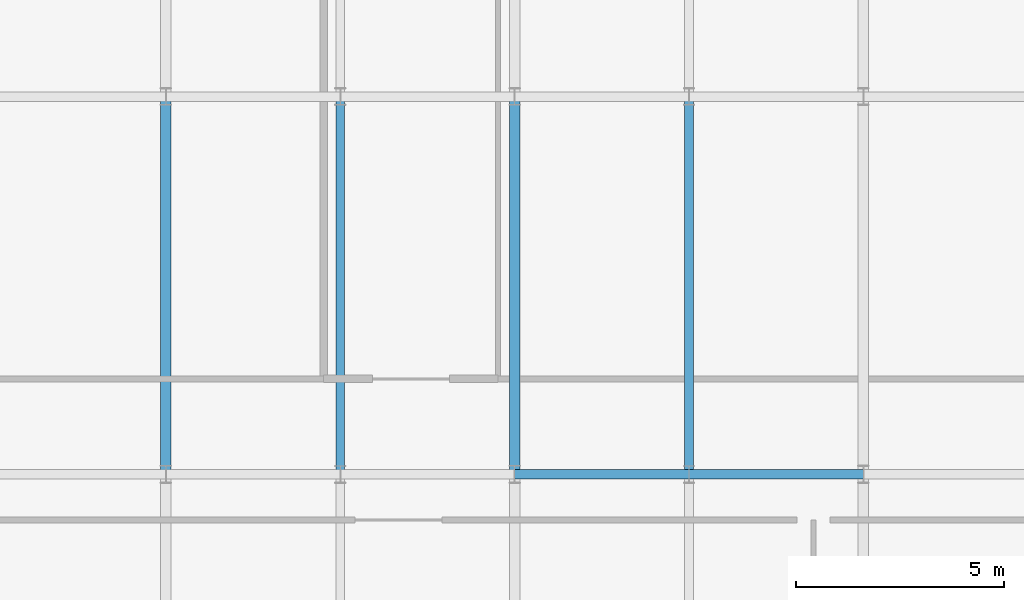
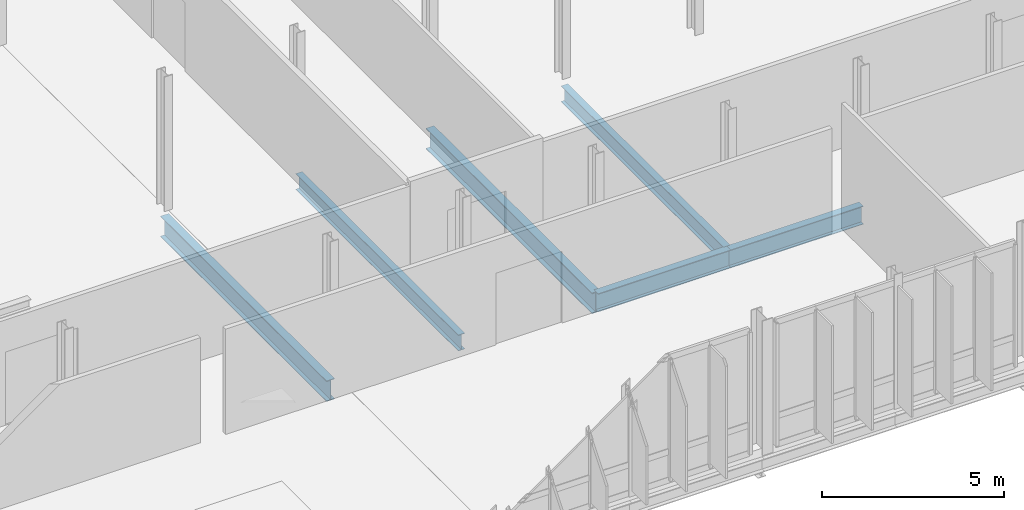
# One storey, part 45 of 139: 6 beams.
"""IFC4 building model written with IfcOpenShell, lengths in metres."""

import ifcopenshell
import ifcopenshell.guid

model = None  # the IFC model being written
_history = None  # IfcOwnerHistory: only IFC2X3 demands one
_inside = {}  # id of a spatial element -> (the spatial element, [elements in it])
_under = {}  # id of a project, library or spatial element -> (it, [spatial elements below it])
_declared = {}  # id of a project -> (the project, [libraries it declares])
_typed = {}  # id of a type object -> (the type object, [elements of that type])
_made_of = {}  # id of a material, layer set ... -> (it, [elements and type objects made of it])


def new_model(schema):
    """Start an empty IFC model of exactly this schema.

    Asked for "IFC4X3", IfcOpenShell would pick the latest addendum, in which some entities
    have other attributes; the version numbers below select the first issue.
    IFC2X3 requires an IfcOwnerHistory on every rooted entity: one is made here for all.
    """
    global model, _history
    if schema == "IFC4X3":
        model = ifcopenshell.file(schema_version=(4, 3, 0, 0))
    else:
        model = ifcopenshell.file(schema=schema)
    _inside.clear()
    _under.clear()
    _declared.clear()
    _typed.clear()
    _made_of.clear()
    _history = None
    if model.schema == "IFC2X3":
        org = make("IfcOrganization", Name="unknown")
        user = make(
            "IfcPersonAndOrganization",
            ThePerson=make("IfcPerson", FamilyName="unknown"),
            TheOrganization=org,
        )
        app = make(
            "IfcApplication",
            ApplicationDeveloper=org,
            Version="unknown",
            ApplicationFullName="unknown",
            ApplicationIdentifier="unknown",
        )
        _history = make(
            "IfcOwnerHistory",
            OwningUser=user,
            OwningApplication=app,
            ChangeAction="ADDED",
            CreationDate=0,
        )
    return model


def make(cls, **values):
    """One entity of the class cls with the attributes given. An attribute that is None is left unset."""
    return model.create_entity(
        cls, **{name: value for name, value in values.items() if value is not None}
    )


def rooted(cls, **values):
    """An entity with a GlobalId (a new one), such as an element, a storey or a relation."""
    return make(cls, GlobalId=ifcopenshell.guid.new(), OwnerHistory=_history, **values)


def si_unit(unit_type, name, prefix=None):
    """IfcSIUnit, for example si_unit("LENGTHUNIT", "METRE", prefix="MILLI")."""
    return make("IfcSIUnit", UnitType=unit_type, Prefix=prefix, Name=name)


def derived_unit(unit_type, elements):
    """IfcDerivedUnit: a product of units, each with its exponent."""
    return make(
        "IfcDerivedUnit",
        Elements=[
            make("IfcDerivedUnitElement", Unit=unit, Exponent=power)
            for unit, power in elements
        ],
        UnitType=unit_type,
    )


def assignment(units):
    """IfcUnitAssignment: the units of a project."""
    return None if units is None else make("IfcUnitAssignment", Units=units)


def point(xyz):
    """IfcCartesianPoint."""
    return None if xyz is None else make("IfcCartesianPoint", Coordinates=xyz)


def direction(xyz):
    """IfcDirection."""
    return None if xyz is None else make("IfcDirection", DirectionRatios=xyz)


def frame(location, z_axis=None, x_axis=None):
    """IfcAxis2Placement3D, a coordinate frame: its origin and axes. An axis left out is left unset."""
    return make(
        "IfcAxis2Placement3D",
        Location=point(location),
        Axis=direction(z_axis),
        RefDirection=direction(x_axis),
    )


def frame_2d(location, x_axis=None):
    """IfcAxis2Placement2D, a coordinate frame in the plane: its origin and x axis."""
    return make(
        "IfcAxis2Placement2D", Location=point(location), RefDirection=direction(x_axis)
    )


def origin():
    """The frame at (0, 0, 0) with its axes left unset."""
    return frame((0.0, 0.0, 0.0))


def origin_2d():
    """The frame at (0, 0) in the plane with its x axis left unset."""
    return frame_2d((0.0, 0.0))


def place(relative_to, where):
    """IfcLocalPlacement: puts the frame where relative to a parent placement (None: the world)."""
    return make(
        "IfcLocalPlacement", PlacementRelTo=relative_to, RelativePlacement=where
    )


def context(
    kind, dimensions, precision=None, world=None, true_north=None, identifier=None
):
    """IfcGeometricRepresentationContext, for example the 3D "Model" context."""
    return make(
        "IfcGeometricRepresentationContext",
        ContextIdentifier=identifier,
        ContextType=kind,
        CoordinateSpaceDimension=dimensions,
        Precision=precision,
        WorldCoordinateSystem=world,
        TrueNorth=true_north,
    )


def subcontext(parent, identifier, kind, view, scale=None):
    """IfcGeometricRepresentationSubContext, for example "Body" below "Model"."""
    return make(
        "IfcGeometricRepresentationSubContext",
        ContextIdentifier=identifier,
        ContextType=kind,
        ParentContext=parent,
        TargetScale=scale,
        TargetView=view,
    )


def project(units=None, contexts=None):
    """IfcProject with its units and contexts."""
    return rooted(
        "IfcProject",
        Name="project",
        RepresentationContexts=contexts,
        UnitsInContext=assignment(units),
    )


def spatial(cls, under=None, at=None, **own):
    """A site, building, storey or space (cls), placed at a placement, below another one or the project."""
    s = rooted(cls, ObjectPlacement=at, **own)
    if under is not None:
        _under.setdefault(under.id(), (under, []))[1].append(s)
    return s


def profile(cls, at=None, kind="AREA", **sizes):
    """A parametric profile (cls). Its sizes go by their IFC names, for example OverallWidth=200.0."""
    return make(cls, ProfileType=kind, Position=at, **sizes)


def i_section(**sizes):
    """IfcIShapeProfileDef."""
    return profile("IfcIShapeProfileDef", **sizes)


def extrude(swept, where, along, depth):
    """IfcExtrudedAreaSolid: the profile swept, set in the frame where, extruded along a direction by depth."""
    return make(
        "IfcExtrudedAreaSolid",
        SweptArea=swept,
        Position=where,
        ExtrudedDirection=direction(along),
        Depth=depth,
    )


def shape(context_of_items, identifier, shape_type, items):
    """IfcShapeRepresentation: the items that make up one representation, for example the "Body"."""
    return make(
        "IfcShapeRepresentation",
        ContextOfItems=context_of_items,
        RepresentationIdentifier=identifier,
        RepresentationType=shape_type,
        Items=items,
    )


def material(Name=None, Category=None):
    """IfcMaterial."""
    return make("IfcMaterial", Name=Name, Category=Category)


def material_profile(
    of_material, cross_section, Name=None, Category=None, Priority=None
):
    """IfcMaterialProfile: a cross section and its material."""
    return make(
        "IfcMaterialProfile",
        Name=Name,
        Material=of_material,
        Profile=cross_section,
        Priority=Priority,
        Category=Category,
    )


def profile_set(profiles, Name=None, composite=None):
    """IfcMaterialProfileSet."""
    return make(
        "IfcMaterialProfileSet",
        Name=Name,
        MaterialProfiles=profiles,
        CompositeProfile=composite,
    )


def made_of(thing, what):
    """Note that an element or type object is made of a material, layer set ...; save() writes the relation."""
    if what is not None:
        _made_of.setdefault(what.id(), (what, []))[1].append(thing)
    return thing


def type_object(cls, material=None, **own):
    """A type object (cls), such as IfcWallType, which elements share."""
    return made_of(rooted(cls, **own), material)


def element(
    cls,
    number,
    at=None,
    inside=None,
    cuts=None,
    type_object=None,
    material=None,
    context=None,
    identifier="Body",
    shape_type=None,
    held_by="IfcProductDefinitionShape",
    body=None,
    shapes=None,
    **own,
):
    """One element of the class cls, such as IfcWall. Its Tag is "e" and its number.

    at: its placement. inside: the storey or other place that contains it. cuts: it is an
    opening in that element (IfcRelVoidsElement). A single representation is given by context,
    identifier, shape_type and body (its items); several are given by shapes. held_by: the class
    of the entity that holds the representations. save() writes the other relations.
    """
    e = rooted(cls, Tag="e%d" % number, ObjectPlacement=at, **own)
    if body is not None:
        shapes = [shape(context, identifier, shape_type, body)]
    if shapes is not None:
        e.Representation = make(held_by, Representations=shapes)
    if inside is not None:
        _inside.setdefault(inside.id(), (inside, []))[1].append(e)
    if cuts is not None:
        rooted(
            "IfcRelVoidsElement", RelatingBuildingElement=cuts, RelatedOpeningElement=e
        )
    if type_object is not None:
        _typed.setdefault(type_object.id(), (type_object, []))[1].append(e)
    return made_of(e, material)


def aggregate(whole, parts):
    """IfcRelAggregates: a whole, such as a stair, and the parts it consists of."""
    return rooted("IfcRelAggregates", RelatingObject=whole, RelatedObjects=parts)


def save(model, path):
    """Write the relations noted so far, then the file.

    IfcRelAggregates (storeys below a building ...), IfcRelContainedInSpatialStructure (elements
    in a storey), IfcRelDefinesByType, IfcRelAssociatesMaterial and IfcRelDeclares: one each for
    every whole, place, type object, material and project.
    """
    for whole, parts in _under.values():
        aggregate(whole, parts)
    for where, things in _inside.values():
        rooted(
            "IfcRelContainedInSpatialStructure",
            RelatedElements=things,
            RelatingStructure=where,
        )
    for kind, things in _typed.values():
        rooted("IfcRelDefinesByType", RelatedObjects=things, RelatingType=kind)
    for what, things in _made_of.values():
        rooted("IfcRelAssociatesMaterial", RelatedObjects=things, RelatingMaterial=what)
    for by, libraries in _declared.values():
        rooted("IfcRelDeclares", RelatingContext=by, RelatedDefinitions=libraries)
    model.write(path)


model = new_model("IFC4")

# Units and contexts
model_context = context("Model", 3, precision=1e-05, world=origin(), true_north=direction((0.0, 1.0)))
body_context = subcontext(model_context, "Body", "Model", "MODEL_VIEW")
ifc_project = project(units=[si_unit("LENGTHUNIT", "METRE"), si_unit("AREAUNIT", "SQUARE_METRE"), si_unit("VOLUMEUNIT", "CUBIC_METRE"), si_unit("PLANEANGLEUNIT", "RADIAN"), si_unit("MASSUNIT", "GRAM", prefix="KILO"), derived_unit("THERMALTRANSMITTANCEUNIT", [(si_unit("MASSUNIT", "GRAM", prefix="KILO"), 1), (si_unit("TIMEUNIT", "SECOND"), -3), (si_unit("THERMODYNAMICTEMPERATUREUNIT", "KELVIN"), -1)])], contexts=[model_context])

# Site, building, storey
site_placement = place(None, origin())
site = spatial("IfcSite", under=ifc_project, at=site_placement, CompositionType="ELEMENT")
building_placement = place(site_placement, origin())
building = spatial("IfcBuilding", under=site, at=building_placement, Name="Makaiwela Harbour Ferry Terminal", CompositionType="ELEMENT")
storey_placement = place(building_placement, frame((0.0, 0.0, 5.10009765625)))
storey = spatial("IfcBuildingStorey", under=building, at=storey_placement, Name="L01", CompositionType="ELEMENT", Elevation=5.10009765625)

# Beams
ifc_material = material(Name="Steel ASTM A992 Grade 50", Category="steel")
ifc_material_profile_1 = material_profile(ifc_material, i_section(OverallWidth=0.2099609375, OverallDepth=0.537109375, WebThickness=0.010986328125, FlangeThickness=0.017333984375, at=origin_2d()), Name="W21X68")
ifc_profile_set_1 = profile_set([ifc_material_profile_1], Name="Steel ASTM A992 Grade 50")
beam_type_1 = type_object("IfcBeamType", Name="STR-BM-W21X68", PredefinedType="BEAM", material=ifc_profile_set_1)
for number, where, z_axis, x_axis, name in (
    (1, (100.800048828125, 58.596435546875, -0.548583984375), (0.0, 1.0, 0.0), (-1.0, 0.0, 0.0), "Secondary floor beam 1115"),
    (2, (109.199951171875, 58.596435546875, -0.548583984375), (0.0, 1.0, 0.0), (-1.0, 0.0, 0.0), "Secondary floor beam 1123"),
):
    element("IfcBeam", number, at=place(storey_placement, frame(where, z_axis=z_axis, x_axis=x_axis)), inside=storey, type_object=beam_type_1, Name=name, PredefinedType="BEAM", context=body_context, shape_type="SweptSolid", body=[
        extrude(i_section(OverallWidth=0.2099609375, OverallDepth=0.537109375, WebThickness=0.010986328125, FlangeThickness=0.017333984375, at=origin_2d()), origin(), (0.0, 0.0, 1.0), 8.906982421875),
    ])
ifc_material_profile_2 = material_profile(ifc_material, i_section(OverallWidth=0.22900390625, OverallDepth=0.612060546875, WebThickness=0.011962890625, FlangeThickness=0.01953125, at=origin_2d()), Name="W24X84")
ifc_profile_set_2 = profile_set([ifc_material_profile_2], Name="Steel ASTM A992 Grade 50")
beam_type_2 = type_object("IfcBeamType", Name="STR-GRD-W24X84", PredefinedType="USERDEFINED", material=ifc_profile_set_2)
for number, where, z_axis, x_axis, name in (
    (3, (105.0, 58.5, -0.586181640625), (1.0, 0.0, 0.0), (0.0, 1.0, 0.0), "Primary X girder 836"),
    (4, (109.199951171875, 58.5, -0.586181640625), (1.0, 0.0, 0.0), (0.0, 1.0, 0.0), "Primary X girder 837"),
):
    element("IfcBeam", number, at=place(storey_placement, frame(where, z_axis=z_axis, x_axis=x_axis)), inside=storey, type_object=beam_type_2, Name=name, ObjectType="GIRDER", PredefinedType="USERDEFINED", context=body_context, shape_type="SweptSolid", body=[
        extrude(i_section(OverallWidth=0.22900390625, OverallDepth=0.612060546875, WebThickness=0.011962890625, FlangeThickness=0.01953125, at=origin_2d()), origin(), (0.0, 0.0, 1.0), 4.199951171875),
    ])
ifc_material_profile_3 = material_profile(ifc_material, i_section(OverallWidth=0.256103515625, OverallDepth=0.693115234375, WebThickness=0.014404296875, FlangeThickness=0.023681640625, at=origin_2d()), Name="W27X114")
ifc_profile_set_3 = profile_set([ifc_material_profile_3], Name="Steel ASTM A992 Grade 50")
beam_type_3 = type_object("IfcBeamType", Name="STR-GRD-W27X114", PredefinedType="USERDEFINED", material=ifc_profile_set_3)
for number, where, z_axis, x_axis, name in (
    (5, (96.60009765625, 58.5, -0.626708984375), (0.0, 1.0, 0.0), (-1.0, 0.0, 0.0), "Primary Y girder 969"),
    (6, (105.0, 58.5, -0.626708984375), (0.0, 1.0, 0.0), (-1.0, 0.0, 0.0), "Primary Y girder 977"),
):
    element("IfcBeam", number, at=place(storey_placement, frame(where, z_axis=z_axis, x_axis=x_axis)), inside=storey, type_object=beam_type_3, Name=name, ObjectType="GIRDER", PredefinedType="USERDEFINED", context=body_context, shape_type="SweptSolid", body=[
        extrude(i_section(OverallWidth=0.256103515625, OverallDepth=0.693115234375, WebThickness=0.014404296875, FlangeThickness=0.023681640625, at=origin_2d()), origin(), (0.0, 0.0, 1.0), 9.10009765625),
    ])

save(model, "model.ifc")
